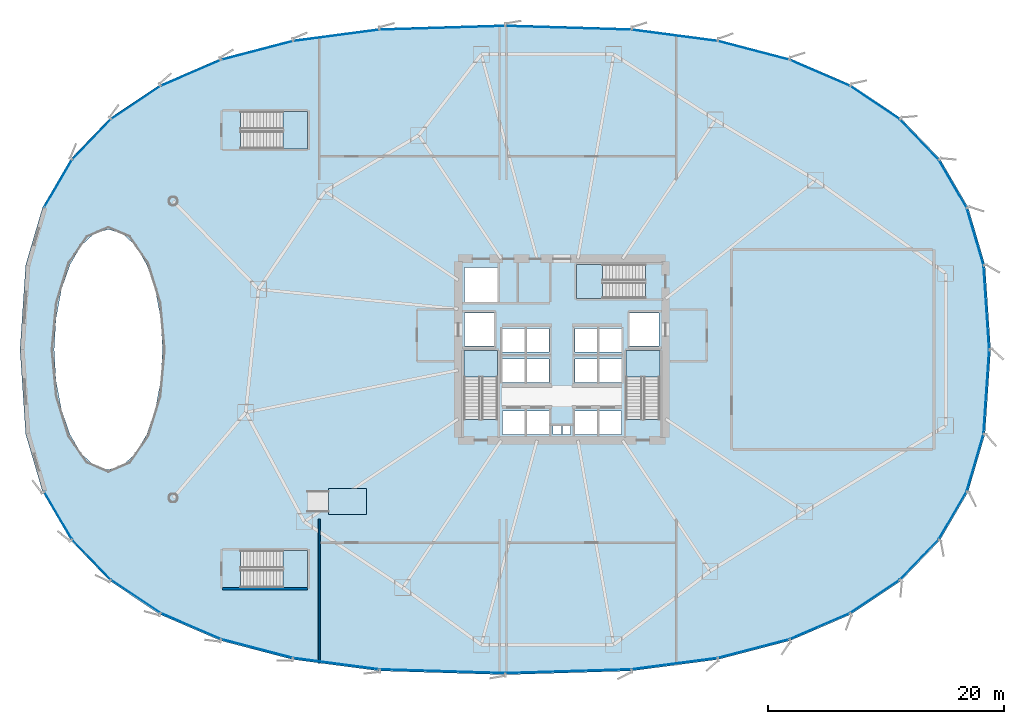
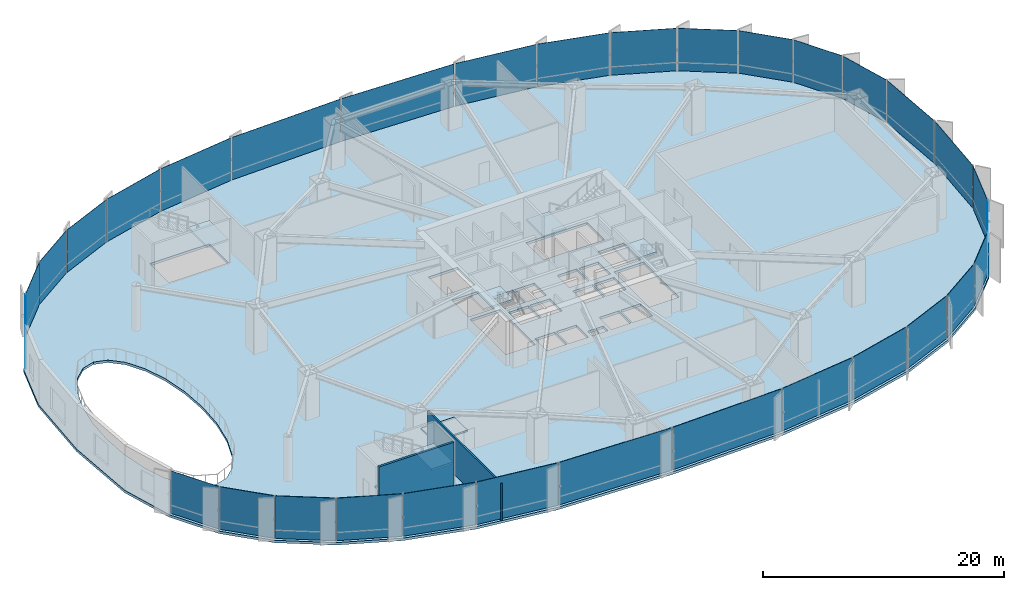
# One storey, part 22 of 33: 32 plates, 7 slabs, 2 walls, 11 elements without a shape of their own.
"""IFC4 building model written with IfcOpenShell, lengths in metres."""

from ifc_helpers import new_model, si_unit, direction, frame, frame_2d, origin, origin_2d, place, context, subcontext, project, spatial, polyline, rectangle, outline, extrude, source, transform, mapped, material, layer, layer_set, type_object, element, aggregate, save


model = new_model("IFC4")

# Units and contexts
model_context = context("Model", 3, precision=1e-05, world=origin(), true_north=direction((0.0, 1.0)))
body_context = subcontext(model_context, "Body", "Model", "MODEL_VIEW")
ifc_project = project(units=[si_unit("LENGTHUNIT", "METRE"), si_unit("AREAUNIT", "SQUARE_METRE"), si_unit("VOLUMEUNIT", "CUBIC_METRE"), si_unit("PLANEANGLEUNIT", "RADIAN"), si_unit("MASSUNIT", "GRAM", prefix="KILO"), si_unit("THERMODYNAMICTEMPERATUREUNIT", "KELVIN")], contexts=[model_context])

# Site, building, storey
site_placement = place(None, origin())
site = spatial("IfcSite", under=ifc_project, at=site_placement, CompositionType="ELEMENT")
building_placement = place(site_placement, origin())
building = spatial("IfcBuilding", under=site, at=building_placement, Name="Kethvar Cultural Tower", CompositionType="ELEMENT")
storey_placement = place(building_placement, frame((0.0, 0.0, 10.0)))
storey = spatial("IfcBuildingStorey", under=building, at=storey_placement, Name="L02", CompositionType="ELEMENT", Elevation=10.0)

# Slabs
ifc_material_1 = material(Name="Concrete C40/50", Category="concrete")
ifc_layer_1 = layer(ifc_material_1, 0.1201171875, Name="Concrete C40/50", Category="concrete")
ifc_layer_set_1 = layer_set([ifc_layer_1], Name="Concrete C40/50 (120 mm)")
slab_type_1 = type_object("IfcSlabType", Name="SL-DAIS-120", PredefinedType="LANDING", material=ifc_layer_set_1)
slab_1_placement = place(storey_placement, origin())
element("IfcSlab", 1, at=slab_1_placement, inside=storey, type_object=slab_type_1, Name="L02 Exhibition Plinth Landing", PredefinedType="LANDING", context=body_context, shape_type="SweptSolid", body=[
    extrude(outline(polyline([(27.0, 13.800048828125), (30.199951171875, 13.800048828125), (30.199951171875, 16.0), (27.0, 16.0), (27.0, 13.800048828125)])), origin(), (0.0, 0.0, 1.0), 0.1201171875),
])
ifc_layer_2 = layer(ifc_material_1, 0.25, Name="Concrete C40/50", Category="concrete")
ifc_layer_set_2 = layer_set([ifc_layer_2], Name="Concrete C40/50 (250 mm)")
slab_type_2 = type_object("IfcSlabType", Name="SL-POD-250", PredefinedType="FLOOR", material=ifc_layer_set_2)
slab_2_placement = place(storey_placement, frame((0.0, 0.0, -0.25)))
element("IfcSlab", 2, at=slab_2_placement, inside=storey, type_object=slab_type_2, Name="L02 Structural Floor Slab", PredefinedType="FLOOR", context=body_context, shape_type="SweptSolid", body=[
    extrude(outline(polyline([(83.199951171875, 27.800048828125), (82.7177734375, 34.978515625), (81.275146484375, 39.8916015625), (78.884521484375, 43.993896484375), (75.56298828125, 47.44580078125), (71.326416015625, 50.283935546875), (66.17333984375, 52.509033203125), (60.0498046875, 54.110595703125), (52.7158203125, 55.076904296875), (42.0, 55.39990234375), (31.2841796875, 55.076904296875), (23.9501953125, 54.110595703125), (17.82666015625, 52.509033203125), (12.673583984375, 50.283935546875), (8.43701171875, 47.44580078125), (5.115478515625, 43.993896484375), (2.724853515625, 39.8916015625), (1.2822265625, 34.978515625), (0.800048828125, 27.800048828125), (1.2822265625, 20.621337890625), (2.724853515625, 15.708251953125), (5.115478515625, 11.606201171875), (8.43701171875, 8.154296875), (12.673583984375, 5.31591796875), (17.82666015625, 3.091064453125), (23.9501953125, 1.489501953125), (31.2841796875, 0.523193359375), (42.0, 0.199951171875), (52.7158203125, 0.523193359375), (60.0498046875, 1.489501953125), (66.17333984375, 3.091064453125), (71.326416015625, 5.31591796875), (75.56298828125, 8.154296875), (78.884521484375, 11.606201171875), (81.275146484375, 15.708251953125), (82.7177734375, 20.621337890625), (83.199951171875, 27.800048828125)]), holes=[polyline([(38.489990234375, 21.85009765625), (38.489990234375, 27.699951171875), (41.35009765625, 27.699951171875), (41.35009765625, 21.85009765625), (38.489990234375, 21.85009765625)]), polyline([(52.25, 21.85009765625), (52.25, 27.699951171875), (55.110107421875, 27.699951171875), (55.110107421875, 21.85009765625), (52.25, 21.85009765625)]), polyline([(53.89990234375, 32.14990234375), (48.050048828125, 32.14990234375), (48.050048828125, 35.010009765625), (53.89990234375, 35.010009765625), (53.89990234375, 32.14990234375)]), polyline([(19.5, 10.760009765625), (25.199951171875, 10.760009765625), (25.199951171875, 7.60009765625), (19.5, 7.60009765625), (19.5, 10.760009765625)]), polyline([(19.5, 48.0), (25.199951171875, 48.0), (25.199951171875, 44.840087890625), (19.5, 44.840087890625), (19.5, 48.0)]), polyline([(41.75, 22.60009765625), (43.64990234375, 22.60009765625), (43.64990234375, 20.60009765625), (41.75, 20.60009765625), (41.75, 22.60009765625)]), polyline([(43.800048828125, 22.60009765625), (45.699951171875, 22.60009765625), (45.699951171875, 20.60009765625), (43.800048828125, 20.60009765625), (43.800048828125, 22.60009765625)]), polyline([(47.89990234375, 22.60009765625), (49.800048828125, 22.60009765625), (49.800048828125, 20.60009765625), (47.89990234375, 20.60009765625), (47.89990234375, 22.60009765625)]), polyline([(49.949951171875, 22.60009765625), (51.85009765625, 22.60009765625), (51.85009765625, 20.60009765625), (49.949951171875, 20.60009765625), (49.949951171875, 22.60009765625)]), polyline([(41.75, 27.0), (43.64990234375, 27.0), (43.64990234375, 25.0), (41.75, 25.0), (41.75, 27.0)]), polyline([(43.800048828125, 27.0), (45.699951171875, 27.0), (45.699951171875, 25.0), (43.800048828125, 25.0), (43.800048828125, 27.0)]), polyline([(47.89990234375, 27.0), (49.800048828125, 27.0), (49.800048828125, 25.0), (47.89990234375, 25.0), (47.89990234375, 27.0)]), polyline([(49.949951171875, 27.0), (51.85009765625, 27.0), (51.85009765625, 25.0), (49.949951171875, 25.0), (49.949951171875, 27.0)]), polyline([(41.75, 29.60009765625), (43.64990234375, 29.60009765625), (43.64990234375, 27.60009765625), (41.75, 27.60009765625), (41.75, 29.60009765625)]), polyline([(43.800048828125, 29.60009765625), (45.699951171875, 29.60009765625), (45.699951171875, 27.60009765625), (43.800048828125, 27.60009765625), (43.800048828125, 29.60009765625)]), polyline([(47.89990234375, 29.60009765625), (49.800048828125, 29.60009765625), (49.800048828125, 27.60009765625), (47.89990234375, 27.60009765625), (47.89990234375, 29.60009765625)]), polyline([(49.949951171875, 29.60009765625), (51.85009765625, 29.60009765625), (51.85009765625, 27.60009765625), (49.949951171875, 27.60009765625), (49.949951171875, 29.60009765625)]), polyline([(38.550048828125, 30.89990234375), (41.050048828125, 30.89990234375), (41.050048828125, 28.10009765625), (38.550048828125, 28.10009765625), (38.550048828125, 30.89990234375)]), polyline([(52.550048828125, 30.89990234375), (55.050048828125, 30.89990234375), (55.050048828125, 28.10009765625), (52.550048828125, 28.10009765625), (52.550048828125, 30.89990234375)]), polyline([(38.550048828125, 34.75), (41.35009765625, 34.75), (41.35009765625, 31.85009765625), (38.550048828125, 31.85009765625), (38.550048828125, 34.75)]), polyline([(46.050048828125, 21.35009765625), (46.75, 21.35009765625), (46.75, 20.60009765625), (46.050048828125, 20.60009765625), (46.050048828125, 21.35009765625)]), polyline([(46.85009765625, 21.35009765625), (47.550048828125, 21.35009765625), (47.550048828125, 20.60009765625), (46.85009765625, 20.60009765625), (46.85009765625, 21.35009765625)]), polyline([(12.743408203125, 25.159912109375), (12.28369140625, 22.699951171875), (11.552734375, 20.58740234375), (10.60009765625, 18.966552734375), (9.490478515625, 17.947509765625), (8.300048828125, 17.60009765625), (7.109375, 17.947509765625), (6.0, 18.966552734375), (5.04736328125, 20.58740234375), (4.31640625, 22.699951171875), (3.856689453125, 25.159912109375), (3.699951171875, 27.800048828125), (3.856689453125, 30.43994140625), (4.31640625, 32.89990234375), (5.04736328125, 35.012451171875), (6.0, 36.633544921875), (7.109375, 37.65234375), (8.300048828125, 38.0), (9.490478515625, 37.65234375), (10.60009765625, 36.633544921875), (11.552734375, 35.012451171875), (12.28369140625, 32.89990234375), (12.743408203125, 30.43994140625), (12.89990234375, 27.800048828125), (12.743408203125, 25.159912109375)])]), origin(), (0.0, 0.0, 1.0), 0.25),
])

# Stair, slab
stair_type_1 = type_object("IfcStairType", Name="ST-DOGLEG-135", PredefinedType="HALF_TURN_STAIR", material=ifc_material_1)
stair_1_placement = place(storey_placement, origin())
stair_1 = element("IfcStair", 3, at=stair_1_placement, inside=storey, type_object=stair_type_1, Name="L02 Core Exit Stair 1", PredefinedType="HALF_TURN_STAIR")
ifc_layer_3 = layer(ifc_material_1, 0.199951171875, Name="Concrete C40/50", Category="concrete")
ifc_layer_set_3 = layer_set([ifc_layer_3], Name="Concrete C40/50 (200 mm)")
slab_type_3 = type_object("IfcSlabType", Name="SL-STAIR-LANDING-200", PredefinedType="LANDING", material=ifc_layer_set_3)
slab_3_placement = place(storey_placement, frame((0.0, 0.0, 2.199951171875)))
slab_3 = element("IfcSlab", 4, at=slab_3_placement, type_object=slab_type_3, Name="ST-01 landing 1", PredefinedType="LANDING", context=body_context, shape_type="SweptSolid", body=[
    extrude(outline(polyline([(41.35009765625, 25.489990234375), (41.35009765625, 27.699951171875), (38.489990234375, 27.699951171875), (38.489990234375, 25.489990234375), (41.35009765625, 25.489990234375)])), origin(), (0.0, 0.0, 1.0), 0.199951171875),
])
aggregate(stair_1, [slab_3])

stair_2_placement = place(storey_placement, origin())
stair_2 = element("IfcStair", 5, at=stair_2_placement, inside=storey, type_object=stair_type_1, Name="L02 Core Exit Stair 2", PredefinedType="HALF_TURN_STAIR")
slab_4_placement = place(storey_placement, frame((0.0, 0.0, 2.199951171875)))
slab_4 = element("IfcSlab", 6, at=slab_4_placement, type_object=slab_type_3, Name="ST-02 landing 1", PredefinedType="LANDING", context=body_context, shape_type="SweptSolid", body=[
    extrude(outline(polyline([(55.110107421875, 25.489990234375), (55.110107421875, 27.699951171875), (52.25, 27.699951171875), (52.25, 25.489990234375), (55.110107421875, 25.489990234375)])), origin(), (0.0, 0.0, 1.0), 0.199951171875),
])
aggregate(stair_2, [slab_4])

stair_3_placement = place(storey_placement, origin())
stair_3 = element("IfcStair", 7, at=stair_3_placement, inside=storey, type_object=stair_type_1, Name="L02 Core Exit Stair 3", PredefinedType="HALF_TURN_STAIR")
slab_5_placement = place(storey_placement, frame((0.0, 0.0, 2.199951171875)))
slab_5 = element("IfcSlab", 8, at=slab_5_placement, type_object=slab_type_3, Name="ST-03 landing 1", PredefinedType="LANDING", context=body_context, shape_type="SweptSolid", body=[
    extrude(outline(polyline([(50.260009765625, 35.010009765625), (48.050048828125, 35.010009765625), (48.050048828125, 32.14990234375), (50.260009765625, 32.14990234375), (50.260009765625, 35.010009765625)])), origin(), (0.0, 0.0, 1.0), 0.199951171875),
])
aggregate(stair_3, [slab_5])

stair_type_2 = type_object("IfcStairType", Name="ST-DOGLEG-150", PredefinedType="HALF_TURN_STAIR", material=ifc_material_1)
stair_4_placement = place(storey_placement, origin())
stair_4 = element("IfcStair", 9, at=stair_4_placement, inside=storey, type_object=stair_type_2, Name="L02 Podium Auditorium Exit Stair 4", PredefinedType="HALF_TURN_STAIR")
slab_6_placement = place(storey_placement, frame((0.0, 0.0, 2.199951171875)))
slab_6 = element("IfcSlab", 10, at=slab_6_placement, type_object=slab_type_3, Name="ST-04 landing 1", PredefinedType="LANDING", context=body_context, shape_type="SweptSolid", body=[
    extrude(outline(polyline([(23.139892578125, 7.60009765625), (25.199951171875, 7.60009765625), (25.199951171875, 10.760009765625), (23.139892578125, 10.760009765625), (23.139892578125, 7.60009765625)])), origin(), (0.0, 0.0, 1.0), 0.199951171875),
])
aggregate(stair_4, [slab_6])

stair_5_placement = place(storey_placement, origin())
stair_5 = element("IfcStair", 11, at=stair_5_placement, inside=storey, type_object=stair_type_2, Name="L02 Podium Auditorium Exit Stair 5", PredefinedType="HALF_TURN_STAIR")
slab_7_placement = place(storey_placement, frame((0.0, 0.0, 2.199951171875)))
slab_7 = element("IfcSlab", 12, at=slab_7_placement, type_object=slab_type_3, Name="ST-05 landing 1", PredefinedType="LANDING", context=body_context, shape_type="SweptSolid", body=[
    extrude(outline(polyline([(23.139892578125, 44.840087890625), (25.199951171875, 44.840087890625), (25.199951171875, 48.0), (23.139892578125, 48.0), (23.139892578125, 44.840087890625)])), origin(), (0.0, 0.0, 1.0), 0.199951171875),
])
aggregate(stair_5, [slab_7])

# Curtain wall, plate
ifc_material_2 = material(Name="Aluminium 6063-T6", Category="aluminium")
ifc_layer_4 = layer(ifc_material_2, 0.179931640625, Name="Aluminium 6063-T6", Category="aluminium")
ifc_layer_set_4 = layer_set([ifc_layer_4], Name="Aluminium 6063-T6 (180 mm)")
curtain_wall_type = type_object("IfcCurtainWallType", Name="CW-SYS-01-POD", PredefinedType="NOTDEFINED", material=ifc_layer_set_4)
curtain_wall_1_placement = place(storey_placement, origin())
curtain_wall_1 = element("IfcCurtainWall", 13, at=curtain_wall_1_placement, inside=storey, type_object=curtain_wall_type, Name="L02 Curtain Wall Run 01", PredefinedType="NOTDEFINED")
ifc_material_3 = material(Name="Insulated Low-E Solar Glass", Category="glass")
ifc_layer_5 = layer(ifc_material_3, 0.035888671875, Name="Insulated Low-E Solar Glass", Category="glass")
ifc_layer_set_5 = layer_set([ifc_layer_5], Name="Insulated Low-E Solar Glass (36 mm)")
plate_type = type_object("IfcPlateType", Name="CW-SYS-01-POD-PNL", PredefinedType="CURTAIN_PANEL", material=ifc_layer_set_5)
shared_shape_1 = source(origin(), body_context, "Body", "SweptSolid", [
    extrude(rectangle(XDim=7.086669921875, YDim=0.035888671875, at=origin_2d()), origin(), (0.0, 0.0, 1.0), 4.31005859375),
])
plate_1_placement = place(storey_placement, frame((82.8291015625, 31.380615234375, 0.10986328125), z_axis=(0.0, 0.0, 1.0), x_axis=(-0.067040137302, 0.997750279374, 0.0)))
plate_1 = element("IfcPlate", 14, at=plate_1_placement, type_object=plate_type, Name="CW-L02-R01 Vision Glazing Panel 1", PredefinedType="CURTAIN_PANEL", context=body_context, shape_type="MappedRepresentation", body=[
    mapped(shared_shape_1, transform((0.0, 0.0, 0.0), scale=1.0)),
])

curtain_wall_2_placement = place(storey_placement, origin())
curtain_wall_2 = element("IfcCurtainWall", 15, at=curtain_wall_2_placement, inside=storey, type_object=curtain_wall_type, Name="L02 Curtain Wall Run 06", PredefinedType="NOTDEFINED")
plate_2_placement = place(storey_placement, frame((82.8291015625, 24.219482421875, 0.10986328125), z_axis=(0.0, 0.0, 1.0), x_axis=(0.067040137302, 0.997750279374, 0.0)))
plate_2 = element("IfcPlate", 16, at=plate_2_placement, type_object=plate_type, Name="CW-L02-R06 Vision Glazing Panel 4", PredefinedType="CURTAIN_PANEL", context=body_context, shape_type="MappedRepresentation", body=[
    mapped(shared_shape_1, transform((0.0, 0.0, 0.0), scale=1.0)),
])

# Plate
shared_shape_2 = source(origin(), body_context, "Body", "SweptSolid", [
    extrude(rectangle(XDim=5.012451171875, YDim=0.035888671875, at=origin_2d()), origin(), (0.0, 0.0, 1.0), 4.31005859375),
])
plate_3_placement = place(storey_placement, frame((81.87158203125, 37.398681640625, 0.10986328125), z_axis=(0.0, 0.0, 1.0), x_axis=(-0.28172190008, 0.959496102658, 0.0)))
plate_3 = element("IfcPlate", 17, at=plate_3_placement, type_object=plate_type, Name="CW-L02-R01 Vision Glazing Panel 2", PredefinedType="CURTAIN_PANEL", context=body_context, shape_type="MappedRepresentation", body=[
    mapped(shared_shape_2, transform((0.0, 0.0, 0.0), scale=1.0)),
])

plate_4_placement = place(storey_placement, frame((81.87158203125, 18.201416015625, 0.10986328125), z_axis=(0.0, 0.0, 1.0), x_axis=(0.28172190008, 0.959496102658, 0.0)))
plate_4 = element("IfcPlate", 18, at=plate_4_placement, type_object=plate_type, Name="CW-L02-R06 Vision Glazing Panel 3", PredefinedType="CURTAIN_PANEL", context=body_context, shape_type="MappedRepresentation", body=[
    mapped(shared_shape_2, transform((0.0, 0.0, 0.0), scale=1.0)),
])

shared_shape_3 = source(origin(), body_context, "Body", "SweptSolid", [
    extrude(rectangle(XDim=4.639892578125, YDim=0.035888671875, at=origin_2d()), origin(), (0.0, 0.0, 1.0), 4.31005859375),
])
plate_5_placement = place(storey_placement, frame((79.967529296875, 41.877197265625, 0.10986328125), z_axis=(0.0, 0.0, 1.0), x_axis=(-0.503517649721, 0.863984939927, 0.0)))
plate_5 = element("IfcPlate", 19, at=plate_5_placement, type_object=plate_type, Name="CW-L02-R01 Vision Glazing Panel 3", PredefinedType="CURTAIN_PANEL", context=body_context, shape_type="MappedRepresentation", body=[
    mapped(shared_shape_3, transform((0.0, 0.0, 0.0), scale=1.0)),
])

# Curtain wall, plate
curtain_wall_3_placement = place(storey_placement, origin())
curtain_wall_3 = element("IfcCurtainWall", 20, at=curtain_wall_3_placement, inside=storey, type_object=curtain_wall_type, Name="L02 Curtain Wall Run 03", PredefinedType="NOTDEFINED")
plate_6_placement = place(storey_placement, frame((4.032470703125, 41.877197265625, 0.10986328125), z_axis=(0.0, 0.0, 1.0), x_axis=(-0.503517649721, -0.863984939927, 0.0)))
plate_6 = element("IfcPlate", 21, at=plate_6_placement, type_object=plate_type, Name="CW-L02-R03 Vision Glazing Panel 4", PredefinedType="CURTAIN_PANEL", context=body_context, shape_type="MappedRepresentation", body=[
    mapped(shared_shape_3, transform((0.0, 0.0, 0.0), scale=1.0)),
])

curtain_wall_4_placement = place(storey_placement, origin())
curtain_wall_4 = element("IfcCurtainWall", 22, at=curtain_wall_4_placement, inside=storey, type_object=curtain_wall_type, Name="L02 Curtain Wall Run 04", PredefinedType="NOTDEFINED")
plate_7_placement = place(storey_placement, frame((4.032470703125, 13.72265625, 0.10986328125), z_axis=(0.0, 0.0, 1.0), x_axis=(0.503517649721, -0.863984939927, 0.0)))
plate_7 = element("IfcPlate", 23, at=plate_7_placement, type_object=plate_type, Name="CW-L02-R04 Vision Glazing Panel 1", PredefinedType="CURTAIN_PANEL", context=body_context, shape_type="MappedRepresentation", body=[
    mapped(shared_shape_3, transform((0.0, 0.0, 0.0), scale=1.0)),
])

# Plate
plate_8_placement = place(storey_placement, frame((79.967529296875, 13.72265625, 0.10986328125), z_axis=(0.0, 0.0, 1.0), x_axis=(0.503517649721, 0.863984939927, 0.0)))
plate_8 = element("IfcPlate", 24, at=plate_8_placement, type_object=plate_type, Name="CW-L02-R06 Vision Glazing Panel 2", PredefinedType="CURTAIN_PANEL", context=body_context, shape_type="MappedRepresentation", body=[
    mapped(shared_shape_3, transform((0.0, 0.0, 0.0), scale=1.0)),
])

shared_shape_4 = source(origin(), body_context, "Body", "SweptSolid", [
    extrude(rectangle(XDim=4.682373046875, YDim=0.035888671875, at=origin_2d()), origin(), (0.0, 0.0, 1.0), 4.31005859375),
])
plate_9_placement = place(storey_placement, frame((77.130126953125, 45.629638671875, 0.10986328125), z_axis=(0.0, 0.0, 1.0), x_axis=(-0.693338945689, 0.720611619661, 0.0)))
plate_9 = element("IfcPlate", 25, at=plate_9_placement, type_object=plate_type, Name="CW-L02-R01 Vision Glazing Panel 4", PredefinedType="CURTAIN_PANEL", context=body_context, shape_type="MappedRepresentation", body=[
    mapped(shared_shape_4, transform((0.0, 0.0, 0.0), scale=1.0)),
])

plate_10_placement = place(storey_placement, frame((6.869873046875, 45.629638671875, 0.10986328125), z_axis=(0.0, 0.0, 1.0), x_axis=(-0.693338945689, -0.720611619661, 0.0)))
plate_10 = element("IfcPlate", 26, at=plate_10_placement, type_object=plate_type, Name="CW-L02-R03 Vision Glazing Panel 3", PredefinedType="CURTAIN_PANEL", context=body_context, shape_type="MappedRepresentation", body=[
    mapped(shared_shape_4, transform((0.0, 0.0, 0.0), scale=1.0)),
])

plate_11_placement = place(storey_placement, frame((6.869873046875, 9.97021484375, 0.10986328125), z_axis=(0.0, 0.0, 1.0), x_axis=(0.693338945689, -0.720611619661, 0.0)))
plate_11 = element("IfcPlate", 27, at=plate_11_placement, type_object=plate_type, Name="CW-L02-R04 Vision Glazing Panel 2", PredefinedType="CURTAIN_PANEL", context=body_context, shape_type="MappedRepresentation", body=[
    mapped(shared_shape_4, transform((0.0, 0.0, 0.0), scale=1.0)),
])

plate_12_placement = place(storey_placement, frame((77.130126953125, 9.97021484375, 0.10986328125), z_axis=(0.0, 0.0, 1.0), x_axis=(0.693338945689, 0.720611619661, 0.0)))
plate_12 = element("IfcPlate", 28, at=plate_12_placement, type_object=plate_type, Name="CW-L02-R06 Vision Glazing Panel 1", PredefinedType="CURTAIN_PANEL", context=body_context, shape_type="MappedRepresentation", body=[
    mapped(shared_shape_4, transform((0.0, 0.0, 0.0), scale=1.0)),
])

aggregate(curtain_wall_2, [plate_12, plate_8, plate_4, plate_2])

shared_shape_5 = source(origin(), body_context, "Body", "SweptSolid", [
    extrude(rectangle(XDim=4.99169921875, YDim=0.035888671875, at=origin_2d()), origin(), (0.0, 0.0, 1.0), 4.31005859375),
])
plate_13_placement = place(storey_placement, frame((73.372314453125, 48.7568359375, 0.10986328125), z_axis=(0.0, 0.0, 1.0), x_axis=(-0.830809662848, 0.556556649514, 0.0)))
plate_13 = element("IfcPlate", 29, at=plate_13_placement, type_object=plate_type, Name="CW-L02-R01 Vision Glazing Panel 5", PredefinedType="CURTAIN_PANEL", context=body_context, shape_type="MappedRepresentation", body=[
    mapped(shared_shape_5, transform((0.0, 0.0, 0.0), scale=1.0)),
])

plate_14_placement = place(storey_placement, frame((10.627685546875, 48.7568359375, 0.10986328125), z_axis=(0.0, 0.0, 1.0), x_axis=(-0.830809662848, -0.556556649514, 0.0)))
plate_14 = element("IfcPlate", 30, at=plate_14_placement, type_object=plate_type, Name="CW-L02-R03 Vision Glazing Panel 2", PredefinedType="CURTAIN_PANEL", context=body_context, shape_type="MappedRepresentation", body=[
    mapped(shared_shape_5, transform((0.0, 0.0, 0.0), scale=1.0)),
])

plate_15_placement = place(storey_placement, frame((10.627685546875, 6.84326171875, 0.10986328125), z_axis=(0.0, 0.0, 1.0), x_axis=(0.830809662848, -0.556556649514, 0.0)))
plate_15 = element("IfcPlate", 31, at=plate_15_placement, type_object=plate_type, Name="CW-L02-R04 Vision Glazing Panel 3", PredefinedType="CURTAIN_PANEL", context=body_context, shape_type="MappedRepresentation", body=[
    mapped(shared_shape_5, transform((0.0, 0.0, 0.0), scale=1.0)),
])

# Curtain wall, plate
curtain_wall_5_placement = place(storey_placement, origin())
curtain_wall_5 = element("IfcCurtainWall", 32, at=curtain_wall_5_placement, inside=storey, type_object=curtain_wall_type, Name="L02 Curtain Wall Run 05", PredefinedType="NOTDEFINED")
plate_16_placement = place(storey_placement, frame((73.372314453125, 6.84326171875, 0.10986328125), z_axis=(0.0, 0.0, 1.0), x_axis=(0.830809662848, 0.556556649514, 0.0)))
plate_16 = element("IfcPlate", 33, at=plate_16_placement, type_object=plate_type, Name="CW-L02-R05 Vision Glazing Panel 6", PredefinedType="CURTAIN_PANEL", context=body_context, shape_type="MappedRepresentation", body=[
    mapped(shared_shape_5, transform((0.0, 0.0, 0.0), scale=1.0)),
])

# Plate
shared_shape_6 = source(origin(), body_context, "Body", "SweptSolid", [
    extrude(rectangle(XDim=5.5048828125, YDim=0.035888671875, at=origin_2d()), origin(), (0.0, 0.0, 1.0), 4.31005859375),
])
plate_17_placement = place(storey_placement, frame((68.6982421875, 51.277099609375, 0.10986328125), z_axis=(0.0, 0.0, 1.0), x_axis=(-0.918073180633, 0.396410942082, 0.0)))
plate_17 = element("IfcPlate", 34, at=plate_17_placement, type_object=plate_type, Name="CW-L02-R01 Vision Glazing Panel 6", PredefinedType="CURTAIN_PANEL", context=body_context, shape_type="MappedRepresentation", body=[
    mapped(shared_shape_6, transform((0.0, 0.0, 0.0), scale=1.0)),
])

aggregate(curtain_wall_1, [plate_1, plate_3, plate_5, plate_9, plate_13, plate_17])

plate_18_placement = place(storey_placement, frame((15.3017578125, 51.277099609375, 0.10986328125), z_axis=(0.0, 0.0, 1.0), x_axis=(-0.918073180633, -0.396410942082, 0.0)))
plate_18 = element("IfcPlate", 35, at=plate_18_placement, type_object=plate_type, Name="CW-L02-R03 Vision Glazing Panel 1", PredefinedType="CURTAIN_PANEL", context=body_context, shape_type="MappedRepresentation", body=[
    mapped(shared_shape_6, transform((0.0, 0.0, 0.0), scale=1.0)),
])

aggregate(curtain_wall_3, [plate_18, plate_14, plate_10, plate_6])

plate_19_placement = place(storey_placement, frame((15.3017578125, 4.32275390625, 0.10986328125), z_axis=(0.0, 0.0, 1.0), x_axis=(0.918073180633, -0.396410942082, 0.0)))
plate_19 = element("IfcPlate", 36, at=plate_19_placement, type_object=plate_type, Name="CW-L02-R04 Vision Glazing Panel 4", PredefinedType="CURTAIN_PANEL", context=body_context, shape_type="MappedRepresentation", body=[
    mapped(shared_shape_6, transform((0.0, 0.0, 0.0), scale=1.0)),
])

plate_20_placement = place(storey_placement, frame((68.6982421875, 4.32275390625, 0.10986328125), z_axis=(0.0, 0.0, 1.0), x_axis=(0.918073180633, 0.396410942082, 0.0)))
plate_20 = element("IfcPlate", 37, at=plate_20_placement, type_object=plate_type, Name="CW-L02-R05 Vision Glazing Panel 5", PredefinedType="CURTAIN_PANEL", context=body_context, shape_type="MappedRepresentation", body=[
    mapped(shared_shape_6, transform((0.0, 0.0, 0.0), scale=1.0)),
])

# Curtain wall, plates
curtain_wall_6_placement = place(storey_placement, origin())
curtain_wall_6 = element("IfcCurtainWall", 38, at=curtain_wall_6_placement, inside=storey, type_object=curtain_wall_type, Name="L02 Curtain Wall Run 02", PredefinedType="NOTDEFINED")
shared_shape_7 = source(origin(), body_context, "Body", "SweptSolid", [
    extrude(rectangle(XDim=6.221435546875, YDim=0.035888671875, at=origin_2d()), origin(), (0.0, 0.0, 1.0), 4.31005859375),
])
plate_21_placement = place(storey_placement, frame((63.07861328125, 53.18408203125, 0.10986328125), z_axis=(0.0, 0.0, 1.0), x_axis=(-0.967457923558, 0.253031946887, 0.0)))
plate_21 = element("IfcPlate", 39, at=plate_21_placement, type_object=plate_type, Name="CW-L02-R02 Vision Glazing Panel 1", PredefinedType="CURTAIN_PANEL", context=body_context, shape_type="MappedRepresentation", body=[
    mapped(shared_shape_7, transform((0.0, 0.0, 0.0), scale=1.0)),
])
plate_22_placement = place(storey_placement, frame((20.92138671875, 53.18408203125, 0.10986328125), z_axis=(0.0, 0.0, 1.0), x_axis=(-0.967457923558, -0.253031946887, 0.0)))
plate_22 = element("IfcPlate", 40, at=plate_22_placement, type_object=plate_type, Name="CW-L02-R02 Vision Glazing Panel 6", PredefinedType="CURTAIN_PANEL", context=body_context, shape_type="MappedRepresentation", body=[
    mapped(shared_shape_7, transform((0.0, 0.0, 0.0), scale=1.0)),
])

# Plate
plate_23_placement = place(storey_placement, frame((20.92138671875, 2.416015625, 0.10986328125), z_axis=(0.0, 0.0, 1.0), x_axis=(0.967457923558, -0.253031946887, 0.0)))
plate_23 = element("IfcPlate", 41, at=plate_23_placement, type_object=plate_type, Name="CW-L02-R04 Vision Glazing Panel 5", PredefinedType="CURTAIN_PANEL", context=body_context, shape_type="MappedRepresentation", body=[
    mapped(shared_shape_7, transform((0.0, 0.0, 0.0), scale=1.0)),
])

plate_24_placement = place(storey_placement, frame((63.07861328125, 2.416015625, 0.10986328125), z_axis=(0.0, 0.0, 1.0), x_axis=(0.967457923558, 0.253031946887, 0.0)))
plate_24 = element("IfcPlate", 42, at=plate_24_placement, type_object=plate_type, Name="CW-L02-R05 Vision Glazing Panel 4", PredefinedType="CURTAIN_PANEL", context=body_context, shape_type="MappedRepresentation", body=[
    mapped(shared_shape_7, transform((0.0, 0.0, 0.0), scale=1.0)),
])

shared_shape_8 = source(origin(), body_context, "Body", "SweptSolid", [
    extrude(rectangle(XDim=7.289306640625, YDim=0.035888671875, at=origin_2d()), origin(), (0.0, 0.0, 1.0), 4.31005859375),
])
plate_25_placement = place(storey_placement, frame((56.365966796875, 54.46484375, 0.10986328125), z_axis=(0.0, 0.0, 1.0), x_axis=(-0.991428907192, 0.130647319086, 0.0)))
plate_25 = element("IfcPlate", 43, at=plate_25_placement, type_object=plate_type, Name="CW-L02-R02 Vision Glazing Panel 2", PredefinedType="CURTAIN_PANEL", context=body_context, shape_type="MappedRepresentation", body=[
    mapped(shared_shape_8, transform((0.0, 0.0, 0.0), scale=1.0)),
])

plate_26_placement = place(storey_placement, frame((27.634033203125, 54.46484375, 0.10986328125), z_axis=(0.0, 0.0, 1.0), x_axis=(-0.991428907192, -0.130647319086, 0.0)))
plate_26 = element("IfcPlate", 44, at=plate_26_placement, type_object=plate_type, Name="CW-L02-R02 Vision Glazing Panel 5", PredefinedType="CURTAIN_PANEL", context=body_context, shape_type="MappedRepresentation", body=[
    mapped(shared_shape_8, transform((0.0, 0.0, 0.0), scale=1.0)),
])

plate_27_placement = place(storey_placement, frame((27.634033203125, 1.135009765625, 0.10986328125), z_axis=(0.0, 0.0, 1.0), x_axis=(0.991428907192, -0.130647319086, 0.0)))
plate_27 = element("IfcPlate", 45, at=plate_27_placement, type_object=plate_type, Name="CW-L02-R04 Vision Glazing Panel 6", PredefinedType="CURTAIN_PANEL", context=body_context, shape_type="MappedRepresentation", body=[
    mapped(shared_shape_8, transform((0.0, 0.0, 0.0), scale=1.0)),
])

aggregate(curtain_wall_4, [plate_7, plate_11, plate_15, plate_19, plate_23, plate_27])

plate_28_placement = place(storey_placement, frame((56.365966796875, 1.135009765625, 0.10986328125), z_axis=(0.0, 0.0, 1.0), x_axis=(0.991428907192, 0.130647319086, 0.0)))
plate_28 = element("IfcPlate", 46, at=plate_28_placement, type_object=plate_type, Name="CW-L02-R05 Vision Glazing Panel 3", PredefinedType="CURTAIN_PANEL", context=body_context, shape_type="MappedRepresentation", body=[
    mapped(shared_shape_8, transform((0.0, 0.0, 0.0), scale=1.0)),
])

shared_shape_9 = source(origin(), body_context, "Body", "SweptSolid", [
    extrude(rectangle(XDim=10.61279296875, YDim=0.035888671875, at=origin_2d()), origin(), (0.0, 0.0, 1.0), 4.31005859375),
])
plate_29_placement = place(storey_placement, frame((47.35400390625, 55.1083984375, 0.10986328125), z_axis=(0.0, 0.0, 1.0), x_axis=(-0.999545769248, 0.030137272261, 0.0)))
plate_29 = element("IfcPlate", 47, at=plate_29_placement, type_object=plate_type, Name="CW-L02-R02 Vision Glazing Panel 3", PredefinedType="CURTAIN_PANEL", context=body_context, shape_type="MappedRepresentation", body=[
    mapped(shared_shape_9, transform((0.0, 0.0, 0.0), scale=1.0)),
])

plate_30_placement = place(storey_placement, frame((36.64599609375, 55.1083984375, 0.10986328125), z_axis=(0.0, 0.0, 1.0), x_axis=(-0.999545769248, -0.030137272261, 0.0)))
plate_30 = element("IfcPlate", 48, at=plate_30_placement, type_object=plate_type, Name="CW-L02-R02 Vision Glazing Panel 4", PredefinedType="CURTAIN_PANEL", context=body_context, shape_type="MappedRepresentation", body=[
    mapped(shared_shape_9, transform((0.0, 0.0, 0.0), scale=1.0)),
])

aggregate(curtain_wall_6, [plate_21, plate_25, plate_29, plate_30, plate_26, plate_22])

plate_31_placement = place(storey_placement, frame((36.64599609375, 0.491455078125, 0.10986328125), z_axis=(0.0, 0.0, 1.0), x_axis=(0.999545769248, -0.030137272261, 0.0)))
plate_31 = element("IfcPlate", 49, at=plate_31_placement, type_object=plate_type, Name="CW-L02-R05 Vision Glazing Panel 1", PredefinedType="CURTAIN_PANEL", context=body_context, shape_type="MappedRepresentation", body=[
    mapped(shared_shape_9, transform((0.0, 0.0, 0.0), scale=1.0)),
])

plate_32_placement = place(storey_placement, frame((47.35400390625, 0.491455078125, 0.10986328125), z_axis=(0.0, 0.0, 1.0), x_axis=(0.999545769248, 0.030137272261, 0.0)))
plate_32 = element("IfcPlate", 50, at=plate_32_placement, type_object=plate_type, Name="CW-L02-R05 Vision Glazing Panel 2", PredefinedType="CURTAIN_PANEL", context=body_context, shape_type="MappedRepresentation", body=[
    mapped(shared_shape_9, transform((0.0, 0.0, 0.0), scale=1.0)),
])

aggregate(curtain_wall_5, [plate_31, plate_32, plate_28, plate_24, plate_20, plate_16])

# Walls
ifc_material_4 = material(Name="Gypsum Acoustic Partition")
ifc_layer_6 = layer(ifc_material_4, 0.14990234375, Name="Gypsum Acoustic Partition")
ifc_layer_set_6 = layer_set([ifc_layer_6], Name="Gypsum Acoustic Partition (150 mm)")
wall_type_1 = type_object("IfcWallType", Name="WL-PART-150", PredefinedType="PARTITIONING", material=ifc_layer_set_6)
wall_1_placement = place(storey_placement, frame((26.199951171875, 1.193115234375, 0.0), z_axis=(0.0, 0.0, 1.0), x_axis=(0.0, 1.0, 0.0)))
element("IfcWall", 51, at=wall_1_placement, inside=storey, type_object=wall_type_1, Name="L02 South Permanent Gallery Side Wall L", PredefinedType="PARTITIONING", context=body_context, shape_type="SweptSolid", body=[
    extrude(rectangle(XDim=12.206787109375, YDim=0.14990234375, at=frame_2d((6.103515625, 0.0))), origin(), (0.0, 0.0, 1.0), 3.742919921875),
])
ifc_material_5 = material(Name="Concrete C50/60", Category="concrete")
ifc_layer_7 = layer(ifc_material_5, 0.199951171875, Name="Concrete C50/60", Category="concrete")
ifc_layer_set_7 = layer_set([ifc_layer_7], Name="Concrete C50/60 (200 mm)")
wall_type_2 = type_object("IfcWallType", Name="WL-STSHAFT-200", PredefinedType="SHEAR", material=ifc_layer_set_7)
wall_2_placement = place(storey_placement, frame((25.199951171875, 7.5, 0.0), z_axis=(0.0, 0.0, 1.0), x_axis=(-1.0, 0.0, 0.0)))
element("IfcWall", 52, at=wall_2_placement, inside=storey, type_object=wall_type_2, Name="L02 ST-04 Stair Shaft Wall LEFT", PredefinedType="SHEAR", context=body_context, shape_type="SweptSolid", body=[
    extrude(rectangle(XDim=7.199951171875, YDim=0.199951171875, at=frame_2d((3.60009765625, 0.0))), origin(), (0.0, 0.0, 1.0), 4.530029296875),
])

save(model, "model.ifc")
